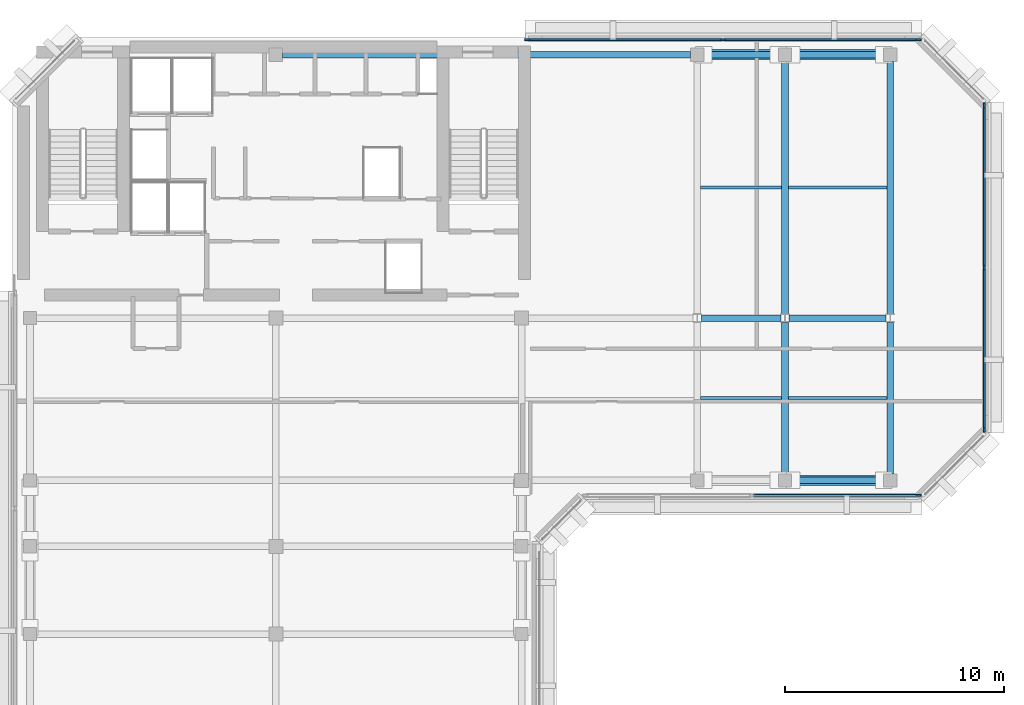
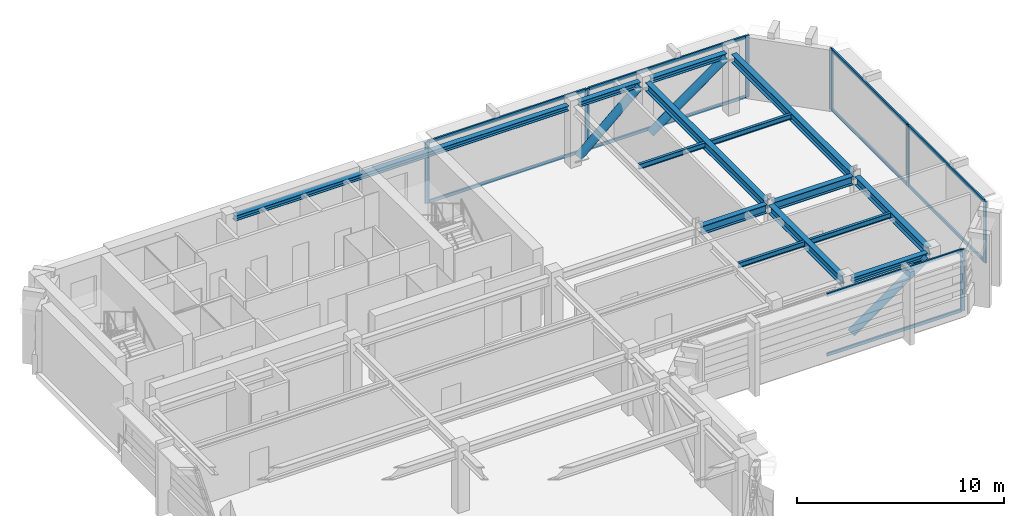
# One storey, part 3 of 9: 20 members, 14 beams, 3 elements without a shape of their own.
"""IFC4 building model written with IfcOpenShell, lengths in metres."""

from ifc_helpers import new_model, si_unit, direction, frame, origin, origin_2d, place, context, subcontext, project, spatial, rectangle, hollow_circle, i_section, extrude, material, layer, layer_set, material_profile, profile_set, type_object, element, aggregate, save


model = new_model("IFC4")

# Units and contexts
model_context = context("Model", 3, precision=1e-05, world=origin(), true_north=direction((0.0, 1.0)))
body_context = subcontext(model_context, "Body", "Model", "MODEL_VIEW")
ifc_project = project(units=[si_unit("LENGTHUNIT", "METRE"), si_unit("AREAUNIT", "SQUARE_METRE"), si_unit("VOLUMEUNIT", "CUBIC_METRE"), si_unit("PLANEANGLEUNIT", "RADIAN"), si_unit("MASSUNIT", "GRAM", prefix="KILO")], contexts=[model_context])

# Site, building, storey
site_placement = place(None, origin())
site = spatial("IfcSite", under=ifc_project, at=site_placement, CompositionType="ELEMENT")
building_placement = place(site_placement, origin())
building = spatial("IfcBuilding", under=site, at=building_placement, Name="Kefirva Bronze Tower", CompositionType="ELEMENT")
storey_placement = place(building_placement, frame((0.0, 0.0, 365.969970703125)))
storey = spatial("IfcBuildingStorey", under=building, at=storey_placement, Name="L89", CompositionType="ELEMENT", Elevation=365.969970703125)

# Curtain wall, member
ifc_material_1 = material(Name="Bronze anodised aluminium", Category="aluminium")
ifc_layer = layer(ifc_material_1, 0.219970703125, Name="Bronze anodised aluminium")
ifc_layer_set = layer_set([ifc_layer], Name="Bronze anodised aluminium")
curtain_wall_type = type_object("IfcCurtainWallType", Name="Refuge Acoustic Louvre Curtain Screen", PredefinedType="USERDEFINED", material=ifc_layer_set)
curtain_wall_1_placement = place(storey_placement, origin())
curtain_wall_1 = element("IfcCurtainWall", 1, at=curtain_wall_1_placement, inside=storey, type_object=curtain_wall_type, Name="L89 Curtain Wall 2", ObjectType="LOUVRE SCREEN WALL", PredefinedType="USERDEFINED")
ifc_material_profile_1 = material_profile(ifc_material_1, rectangle(XDim=0.090087890625, YDim=0.219970703125, at=origin_2d()), Name="ALU 90x220")
ifc_profile_set_1 = profile_set([ifc_material_profile_1], Name="Bronze anodised aluminium")
member_type_1 = type_object("IfcMemberType", Name="Bronze Mullion 90x220", PredefinedType="MULLION", material=ifc_profile_set_1)
member_1_placement = place(storey_placement, frame((41.300048828125, 25.1201171875, 0.0), z_axis=(0.0, 0.0, 1.0), x_axis=(0.0, 1.0, 0.0)))
member_1 = element("IfcMember", 2, at=member_1_placement, type_object=member_type_1, Name="CW-06 mullion 3", PredefinedType="MULLION", context=body_context, shape_type="SweptSolid", body=[
    extrude(rectangle(XDim=0.090087890625, YDim=0.219970703125, at=origin_2d()), origin(), (0.0, 0.0, 1.0), 3.610107421875),
])

# Curtain wall, members
curtain_wall_2_placement = place(storey_placement, origin())
curtain_wall_2 = element("IfcCurtainWall", 3, at=curtain_wall_2_placement, inside=storey, type_object=curtain_wall_type, Name="L89 Curtain Wall 3", ObjectType="LOUVRE SCREEN WALL", PredefinedType="USERDEFINED")
member_2_placement = place(storey_placement, frame((44.280029296875, 28.10009765625, 0.0), z_axis=(0.0, 0.0, 1.0), x_axis=(-1.0, 0.0, 0.0)))
member_2 = element("IfcMember", 4, at=member_2_placement, type_object=member_type_1, Name="CW-06 mullion 1", PredefinedType="MULLION", context=body_context, shape_type="SweptSolid", body=[
    extrude(rectangle(XDim=0.090087890625, YDim=0.219970703125, at=origin_2d()), origin(), (0.0, 0.0, 1.0), 3.610107421875),
])
member_3_placement = place(storey_placement, frame((44.280029296875, 35.5, 0.0), z_axis=(0.0, 0.0, 1.0), x_axis=(-1.0, 0.0, 0.0)))
member_3 = element("IfcMember", 5, at=member_3_placement, type_object=member_type_1, Name="CW-06 mullion 2", PredefinedType="MULLION", context=body_context, shape_type="SweptSolid", body=[
    extrude(rectangle(XDim=0.090087890625, YDim=0.219970703125, at=origin_2d()), origin(), (0.0, 0.0, 1.0), 3.610107421875),
])
member_4_placement = place(storey_placement, frame((44.280029296875, 42.89990234375, 0.0), z_axis=(0.0, 0.0, 1.0), x_axis=(-1.0, 0.0, 0.0)))
member_4 = element("IfcMember", 6, at=member_4_placement, type_object=member_type_1, Name="CW-06 mullion 3", PredefinedType="MULLION", context=body_context, shape_type="SweptSolid", body=[
    extrude(rectangle(XDim=0.090087890625, YDim=0.219970703125, at=origin_2d()), origin(), (0.0, 0.0, 1.0), 3.610107421875),
])

curtain_wall_3_placement = place(storey_placement, origin())
curtain_wall_3 = element("IfcCurtainWall", 7, at=curtain_wall_3_placement, inside=storey, type_object=curtain_wall_type, Name="L89 Curtain Wall 4", ObjectType="LOUVRE SCREEN WALL", PredefinedType="USERDEFINED")
member_5_placement = place(storey_placement, frame((41.300048828125, 45.8798828125, 0.0), z_axis=(0.0, 0.0, 1.0), x_axis=(0.0, -1.0, 0.0)))
member_5 = element("IfcMember", 8, at=member_5_placement, type_object=member_type_1, Name="CW-06 mullion 1", PredefinedType="MULLION", context=body_context, shape_type="SweptSolid", body=[
    extrude(rectangle(XDim=0.090087890625, YDim=0.219970703125, at=origin_2d()), origin(), (0.0, 0.0, 1.0), 3.610107421875),
])
member_6_placement = place(storey_placement, frame((32.375, 45.8798828125, 0.0), z_axis=(0.0, 0.0, 1.0), x_axis=(0.0, -1.0, 0.0)))
member_6 = element("IfcMember", 9, at=member_6_placement, type_object=member_type_1, Name="CW-06 mullion 2", PredefinedType="MULLION", context=body_context, shape_type="SweptSolid", body=[
    extrude(rectangle(XDim=0.090087890625, YDim=0.219970703125, at=origin_2d()), origin(), (0.0, 0.0, 1.0), 3.610107421875),
])
member_7_placement = place(storey_placement, frame((23.449951171875, 45.8798828125, 0.0), z_axis=(0.0, 0.0, 1.0), x_axis=(0.0, -1.0, 0.0)))
member_7 = element("IfcMember", 10, at=member_7_placement, type_object=member_type_1, Name="CW-06 mullion 3", PredefinedType="MULLION", context=body_context, shape_type="SweptSolid", body=[
    extrude(rectangle(XDim=0.090087890625, YDim=0.219970703125, at=origin_2d()), origin(), (0.0, 0.0, 1.0), 3.610107421875),
])

# Member
ifc_material_profile_2 = material_profile(ifc_material_1, rectangle(XDim=0.090087890625, YDim=0.179931640625, at=origin_2d()), Name="ALU 90x180")
ifc_profile_set_2 = profile_set([ifc_material_profile_2], Name="Bronze anodised aluminium")
member_type_2 = type_object("IfcMemberType", Name="Bronze Transom 90x180", PredefinedType="USERDEFINED", material=ifc_profile_set_2)
member_8_placement = place(storey_placement, frame((33.7451171875, 25.1201171875, 0.044921875), z_axis=(1.0, 0.0, 0.0), x_axis=(0.0, 1.0, 0.0)))
member_8 = element("IfcMember", 11, at=member_8_placement, type_object=member_type_2, Name="CW-06 transom 2.1", ObjectType="TRANSOM", PredefinedType="USERDEFINED", context=body_context, shape_type="SweptSolid", body=[
    extrude(rectangle(XDim=0.090087890625, YDim=0.179931640625, at=origin_2d()), origin(), (0.0, 0.0, 1.0), 7.509765625),
])

member_9_placement = place(storey_placement, frame((33.7451171875, 25.1201171875, 3.56494140625), z_axis=(1.0, 0.0, 0.0), x_axis=(0.0, 1.0, 0.0)))
member_9 = element("IfcMember", 12, at=member_9_placement, type_object=member_type_2, Name="CW-06 transom 2.2", ObjectType="TRANSOM", PredefinedType="USERDEFINED", context=body_context, shape_type="SweptSolid", body=[
    extrude(rectangle(XDim=0.090087890625, YDim=0.179931640625, at=origin_2d()), origin(), (0.0, 0.0, 1.0), 7.509765625),
])

aggregate(curtain_wall_1, [member_1, member_8, member_9])

member_10_placement = place(storey_placement, frame((44.280029296875, 28.14501953125, 0.044921875), z_axis=(0.0, 1.0, 0.0), x_axis=(-1.0, 0.0, 0.0)))
member_10 = element("IfcMember", 13, at=member_10_placement, type_object=member_type_2, Name="CW-06 transom 1.1", ObjectType="TRANSOM", PredefinedType="USERDEFINED", context=body_context, shape_type="SweptSolid", body=[
    extrude(rectangle(XDim=0.090087890625, YDim=0.179931640625, at=origin_2d()), origin(), (0.0, 0.0, 1.0), 7.31005859375),
])

member_11_placement = place(storey_placement, frame((44.280029296875, 28.14501953125, 3.56494140625), z_axis=(0.0, 1.0, 0.0), x_axis=(-1.0, 0.0, 0.0)))
member_11 = element("IfcMember", 14, at=member_11_placement, type_object=member_type_2, Name="CW-06 transom 1.2", ObjectType="TRANSOM", PredefinedType="USERDEFINED", context=body_context, shape_type="SweptSolid", body=[
    extrude(rectangle(XDim=0.090087890625, YDim=0.179931640625, at=origin_2d()), origin(), (0.0, 0.0, 1.0), 7.31005859375),
])

member_12_placement = place(storey_placement, frame((44.280029296875, 35.544921875, 0.044921875), z_axis=(0.0, 1.0, 0.0), x_axis=(-1.0, 0.0, 0.0)))
member_12 = element("IfcMember", 15, at=member_12_placement, type_object=member_type_2, Name="CW-06 transom 2.1", ObjectType="TRANSOM", PredefinedType="USERDEFINED", context=body_context, shape_type="SweptSolid", body=[
    extrude(rectangle(XDim=0.090087890625, YDim=0.179931640625, at=origin_2d()), origin(), (0.0, 0.0, 1.0), 7.31005859375),
])

member_13_placement = place(storey_placement, frame((44.280029296875, 35.544921875, 3.56494140625), z_axis=(0.0, 1.0, 0.0), x_axis=(-1.0, 0.0, 0.0)))
member_13 = element("IfcMember", 16, at=member_13_placement, type_object=member_type_2, Name="CW-06 transom 2.2", ObjectType="TRANSOM", PredefinedType="USERDEFINED", context=body_context, shape_type="SweptSolid", body=[
    extrude(rectangle(XDim=0.090087890625, YDim=0.179931640625, at=origin_2d()), origin(), (0.0, 0.0, 1.0), 7.31005859375),
])

aggregate(curtain_wall_2, [member_2, member_3, member_4, member_10, member_11, member_12, member_13])

member_14_placement = place(storey_placement, frame((41.2548828125, 45.8798828125, 0.044921875), z_axis=(-1.0, 0.0, 0.0), x_axis=(0.0, -1.0, 0.0)))
member_14 = element("IfcMember", 17, at=member_14_placement, type_object=member_type_2, Name="CW-06 transom 1.1", ObjectType="TRANSOM", PredefinedType="USERDEFINED", context=body_context, shape_type="SweptSolid", body=[
    extrude(rectangle(XDim=0.090087890625, YDim=0.179931640625, at=origin_2d()), origin(), (0.0, 0.0, 1.0), 8.8349609375),
])

member_15_placement = place(storey_placement, frame((41.2548828125, 45.8798828125, 3.56494140625), z_axis=(-1.0, 0.0, 0.0), x_axis=(0.0, -1.0, 0.0)))
member_15 = element("IfcMember", 18, at=member_15_placement, type_object=member_type_2, Name="CW-06 transom 1.2", ObjectType="TRANSOM", PredefinedType="USERDEFINED", context=body_context, shape_type="SweptSolid", body=[
    extrude(rectangle(XDim=0.090087890625, YDim=0.179931640625, at=origin_2d()), origin(), (0.0, 0.0, 1.0), 8.8349609375),
])

member_16_placement = place(storey_placement, frame((32.330078125, 45.8798828125, 0.044921875), z_axis=(-1.0, 0.0, 0.0), x_axis=(0.0, -1.0, 0.0)))
member_16 = element("IfcMember", 19, at=member_16_placement, type_object=member_type_2, Name="CW-06 transom 2.1", ObjectType="TRANSOM", PredefinedType="USERDEFINED", context=body_context, shape_type="SweptSolid", body=[
    extrude(rectangle(XDim=0.090087890625, YDim=0.179931640625, at=origin_2d()), origin(), (0.0, 0.0, 1.0), 8.8349609375),
])

member_17_placement = place(storey_placement, frame((32.330078125, 45.8798828125, 3.56494140625), z_axis=(-1.0, 0.0, 0.0), x_axis=(0.0, -1.0, 0.0)))
member_17 = element("IfcMember", 20, at=member_17_placement, type_object=member_type_2, Name="CW-06 transom 2.2", ObjectType="TRANSOM", PredefinedType="USERDEFINED", context=body_context, shape_type="SweptSolid", body=[
    extrude(rectangle(XDim=0.090087890625, YDim=0.179931640625, at=origin_2d()), origin(), (0.0, 0.0, 1.0), 8.8349609375),
])

aggregate(curtain_wall_3, [member_5, member_6, member_7, member_14, member_15, member_16, member_17])

# Beams
ifc_material_2 = material(Name="Steel S355", Category="steel")
ifc_material_profile_3 = material_profile(ifc_material_2, i_section(OverallWidth=0.14990234375, OverallDepth=0.300048828125, WebThickness=0.007080078125, FlangeThickness=0.0107421875, at=origin_2d()), Name="IPE 300")
ifc_profile_set_3 = profile_set([ifc_material_profile_3], Name="Steel S355")
beam_type_1 = type_object("IfcBeamType", Name="Steel Floor Joist IPE 300", PredefinedType="JOIST", material=ifc_profile_set_3)
for number, where, z_axis, x_axis, name in (
    (21, (31.35009765625, 29.55322265625, 3.4599609375), (1.0, 0.0, 0.0), (0.0, 1.0, 0.0), "L89 JST-L89-31-295"),
    (22, (31.35009765625, 39.146728515625, 3.4599609375), (1.0, 0.0, 0.0), (0.0, 1.0, 0.0), "L89 JST-L89-31-391"),
):
    element("IfcBeam", number, at=place(storey_placement, frame(where, z_axis=z_axis, x_axis=x_axis)), inside=storey, type_object=beam_type_1, Name=name, PredefinedType="JOIST", context=body_context, shape_type="SweptSolid", body=[
        extrude(i_section(OverallWidth=0.14990234375, OverallDepth=0.300048828125, WebThickness=0.007080078125, FlangeThickness=0.0107421875, at=origin_2d()), origin(), (0.0, 0.0, 1.0), 3.699951171875),
    ])
for number, where, z_axis, x_axis, name in (
    (23, (35.35009765625, 29.55322265625, 3.4599609375), (1.0, 0.0, 0.0), (0.0, 1.0, 0.0), "L89 JST-L89-35-295"),
    (24, (35.35009765625, 39.146728515625, 3.4599609375), (1.0, 0.0, 0.0), (0.0, 1.0, 0.0), "L89 JST-L89-35-391"),
):
    element("IfcBeam", number, at=place(storey_placement, frame(where, z_axis=z_axis, x_axis=x_axis)), inside=storey, type_object=beam_type_1, Name=name, PredefinedType="JOIST", context=body_context, shape_type="SweptSolid", body=[
        extrude(i_section(OverallWidth=0.14990234375, OverallDepth=0.300048828125, WebThickness=0.007080078125, FlangeThickness=0.0107421875, at=origin_2d()), origin(), (0.0, 0.0, 1.0), 4.5),
    ])
ifc_material_profile_4 = material_profile(ifc_material_2, i_section(OverallWidth=0.300048828125, OverallDepth=0.5, WebThickness=0.014404296875, FlangeThickness=0.028076171875, at=origin_2d()), Name="HEB 500")
ifc_profile_set_4 = profile_set([ifc_material_profile_4], Name="Steel S355")
beam_type_2 = type_object("IfcBeamType", Name="Steel Girder HEB 500", PredefinedType="USERDEFINED", material=ifc_profile_set_4)
beam_1_placement = place(storey_placement, frame((31.388427734375, 33.199951171875, 3.360107421875), z_axis=(1.0, 0.0, 0.0), x_axis=(0.0, 1.0, 0.0)))
element("IfcBeam", 25, at=beam_1_placement, inside=storey, type_object=beam_type_2, Name="L89 BM-L89-EW-31-332", ObjectType="GIRDER", PredefinedType="USERDEFINED", context=body_context, shape_type="SweptSolid", body=[
    extrude(i_section(OverallWidth=0.300048828125, OverallDepth=0.5, WebThickness=0.014404296875, FlangeThickness=0.028076171875, at=origin_2d()), origin(), (0.0, 0.0, 1.0), 3.623046875),
])
beam_2_placement = place(storey_placement, frame((35.388427734375, 33.199951171875, 3.360107421875), z_axis=(1.0, 0.0, 0.0), x_axis=(0.0, 1.0, 0.0)))
element("IfcBeam", 26, at=beam_2_placement, inside=storey, type_object=beam_type_2, Name="L89 BM-L89-EW-35-332", ObjectType="GIRDER", PredefinedType="USERDEFINED", context=body_context, shape_type="SweptSolid", body=[
    extrude(i_section(OverallWidth=0.300048828125, OverallDepth=0.5, WebThickness=0.014404296875, FlangeThickness=0.028076171875, at=origin_2d()), origin(), (0.0, 0.0, 1.0), 4.423095703125),
])
beam_3_placement = place(storey_placement, frame((35.199951171875, 26.10009765625, 3.360107421875), z_axis=(0.0, 1.0, 0.0), x_axis=(-1.0, 0.0, 0.0)))
element("IfcBeam", 27, at=beam_3_placement, inside=storey, type_object=beam_type_2, Name="L89 BM-L89-NS-352-25", ObjectType="GIRDER", PredefinedType="USERDEFINED", context=body_context, shape_type="SweptSolid", body=[
    extrude(i_section(OverallWidth=0.300048828125, OverallDepth=0.5, WebThickness=0.014404296875, FlangeThickness=0.028076171875, at=origin_2d()), origin(), (0.0, 0.0, 1.0), 6.906494140625),
])
beam_4_placement = place(storey_placement, frame((35.199951171875, 33.3935546875, 3.360107421875), z_axis=(0.0, 1.0, 0.0), x_axis=(-1.0, 0.0, 0.0)))
element("IfcBeam", 28, at=beam_4_placement, inside=storey, type_object=beam_type_2, Name="L89 BM-L89-NS-352-33", ObjectType="GIRDER", PredefinedType="USERDEFINED", context=body_context, shape_type="SweptSolid", body=[
    extrude(i_section(OverallWidth=0.300048828125, OverallDepth=0.5, WebThickness=0.014404296875, FlangeThickness=0.028076171875, at=origin_2d()), origin(), (0.0, 0.0, 1.0), 11.50634765625),
])
beam_5_placement = place(storey_placement, frame((40.0, 26.10009765625, 3.360107421875), z_axis=(0.0, 1.0, 0.0), x_axis=(-1.0, 0.0, 0.0)))
element("IfcBeam", 29, at=beam_5_placement, inside=storey, type_object=beam_type_2, Name="L89 BM-L89-NS-400-25", ObjectType="GIRDER", PredefinedType="USERDEFINED", context=body_context, shape_type="SweptSolid", body=[
    extrude(i_section(OverallWidth=0.300048828125, OverallDepth=0.5, WebThickness=0.014404296875, FlangeThickness=0.028076171875, at=origin_2d()), origin(), (0.0, 0.0, 1.0), 6.906494140625),
])
beam_6_placement = place(storey_placement, frame((40.0, 33.3935546875, 3.360107421875), z_axis=(0.0, 1.0, 0.0), x_axis=(-1.0, 0.0, 0.0)))
element("IfcBeam", 30, at=beam_6_placement, inside=storey, type_object=beam_type_2, Name="L89 BM-L89-NS-400-33", ObjectType="GIRDER", PredefinedType="USERDEFINED", context=body_context, shape_type="SweptSolid", body=[
    extrude(i_section(OverallWidth=0.300048828125, OverallDepth=0.5, WebThickness=0.014404296875, FlangeThickness=0.028076171875, at=origin_2d()), origin(), (0.0, 0.0, 1.0), 11.50634765625),
])

# Members
ifc_material_3 = material(Name="Steel S460", Category="steel")
ifc_material_profile_5 = material_profile(ifc_material_3, hollow_circle(Radius=0.228515625, WallThickness=0.01611328125, at=origin_2d()), Name="CHS 457x16")
ifc_profile_set_5 = profile_set([ifc_material_profile_5], Name="Steel S460")
member_type_3 = type_object("IfcMemberType", Name="Steel Portal Brace CHS 457x16", PredefinedType="BRACE", material=ifc_profile_set_5)
member_18_placement = place(storey_placement, frame((35.5, 25.800048828125, 0.300048828125), z_axis=(0.812813026166, 0.0, 0.58252466428), x_axis=(0.0, 1.0, 0.0)))
element("IfcMember", 31, at=member_18_placement, inside=storey, type_object=member_type_3, Name="L89 Outrigger Belt Brace 6", PredefinedType="BRACE", context=body_context, shape_type="SweptSolid", body=[
    extrude(hollow_circle(Radius=0.228515625, WallThickness=0.01611328125, at=origin_2d()), origin(), (0.0, 0.0, 1.0), 5.167236328125),
])
member_19_placement = place(storey_placement, frame((31.5, 45.199951171875, 0.300048828125), z_axis=(0.748733790472, 0.0, 0.662870810192), x_axis=(0.0, 1.0, 0.0)))
element("IfcMember", 32, at=member_19_placement, inside=storey, type_object=member_type_3, Name="L89 Outrigger Belt Brace 7", PredefinedType="BRACE", context=body_context, shape_type="SweptSolid", body=[
    extrude(hollow_circle(Radius=0.228515625, WallThickness=0.01611328125, at=origin_2d()), origin(), (0.0, 0.0, 1.0), 4.540771484375),
])
member_20_placement = place(storey_placement, frame((35.5, 45.199951171875, 0.300048828125), z_axis=(0.812813026166, 0.0, 0.58252466428), x_axis=(0.0, 1.0, 0.0)))
element("IfcMember", 33, at=member_20_placement, inside=storey, type_object=member_type_3, Name="L89 Outrigger Belt Brace 8", PredefinedType="BRACE", context=body_context, shape_type="SweptSolid", body=[
    extrude(hollow_circle(Radius=0.228515625, WallThickness=0.01611328125, at=origin_2d()), origin(), (0.0, 0.0, 1.0), 5.167236328125),
])

# Beams
ifc_material_profile_6 = material_profile(ifc_material_2, i_section(OverallWidth=0.300048828125, OverallDepth=0.300048828125, WebThickness=0.010986328125, FlangeThickness=0.01904296875, at=origin_2d()), Name="HEB 300")
ifc_profile_set_6 = profile_set([ifc_material_profile_6], Name="Steel S355")
beam_type_3 = type_object("IfcBeamType", Name="Steel Spandrel HEB 300 Ext", PredefinedType="SPANDREL", material=ifc_profile_set_6)
beam_7_placement = place(storey_placement, frame((35.5, 25.800048828125, 3.4599609375), z_axis=(1.0, 0.0, 0.0), x_axis=(0.0, 1.0, 0.0)))
element("IfcBeam", 34, at=beam_7_placement, inside=storey, type_object=beam_type_3, Name="L89 BM-L89-EW-35-258", PredefinedType="SPANDREL", context=body_context, shape_type="SweptSolid", body=[
    extrude(i_section(OverallWidth=0.300048828125, OverallDepth=0.300048828125, WebThickness=0.010986328125, FlangeThickness=0.01904296875, at=origin_2d()), origin(), (0.0, 0.0, 1.0), 4.199951171875),
])
beam_8_placement = place(storey_placement, frame((12.300048828125, 45.199951171875, 3.4599609375), z_axis=(1.0, 0.0, 0.0), x_axis=(0.0, 1.0, 0.0)))
element("IfcBeam", 35, at=beam_8_placement, inside=storey, type_object=beam_type_3, Name="L89 BM-L89-EW-12-452", PredefinedType="SPANDREL", context=body_context, shape_type="SweptSolid", body=[
    extrude(i_section(OverallWidth=0.300048828125, OverallDepth=0.300048828125, WebThickness=0.010986328125, FlangeThickness=0.01904296875, at=origin_2d()), origin(), (0.0, 0.0, 1.0), 18.599853515625),
])
beam_9_placement = place(storey_placement, frame((31.5, 45.199951171875, 3.4599609375), z_axis=(1.0, 0.0, 0.0), x_axis=(0.0, 1.0, 0.0)))
element("IfcBeam", 36, at=beam_9_placement, inside=storey, type_object=beam_type_3, Name="L89 BM-L89-EW-31-452", PredefinedType="SPANDREL", context=body_context, shape_type="SweptSolid", body=[
    extrude(i_section(OverallWidth=0.300048828125, OverallDepth=0.300048828125, WebThickness=0.010986328125, FlangeThickness=0.01904296875, at=origin_2d()), origin(), (0.0, 0.0, 1.0), 3.39990234375),
])
beam_10_placement = place(storey_placement, frame((35.5, 45.199951171875, 3.4599609375), z_axis=(1.0, 0.0, 0.0), x_axis=(0.0, 1.0, 0.0)))
element("IfcBeam", 37, at=beam_10_placement, inside=storey, type_object=beam_type_3, Name="L89 BM-L89-EW-35-452", PredefinedType="SPANDREL", context=body_context, shape_type="SweptSolid", body=[
    extrude(i_section(OverallWidth=0.300048828125, OverallDepth=0.300048828125, WebThickness=0.010986328125, FlangeThickness=0.01904296875, at=origin_2d()), origin(), (0.0, 0.0, 1.0), 4.199951171875),
])

save(model, "model.ifc")
